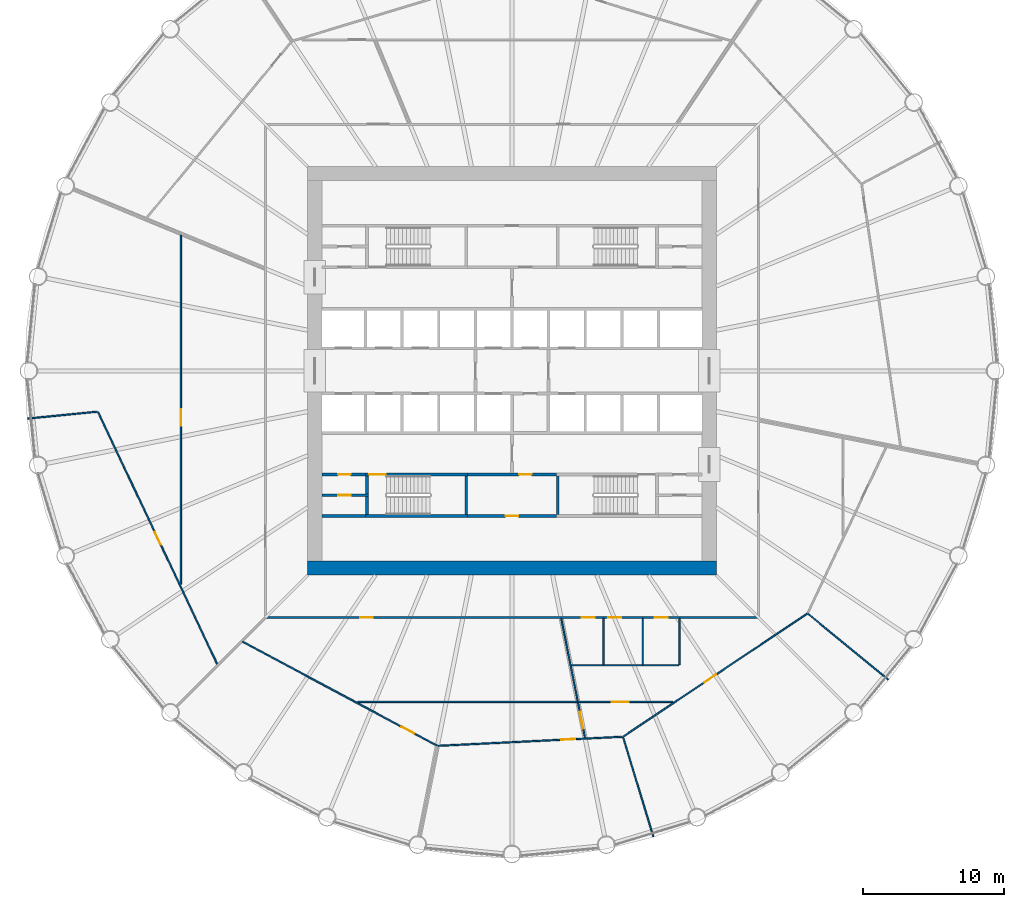
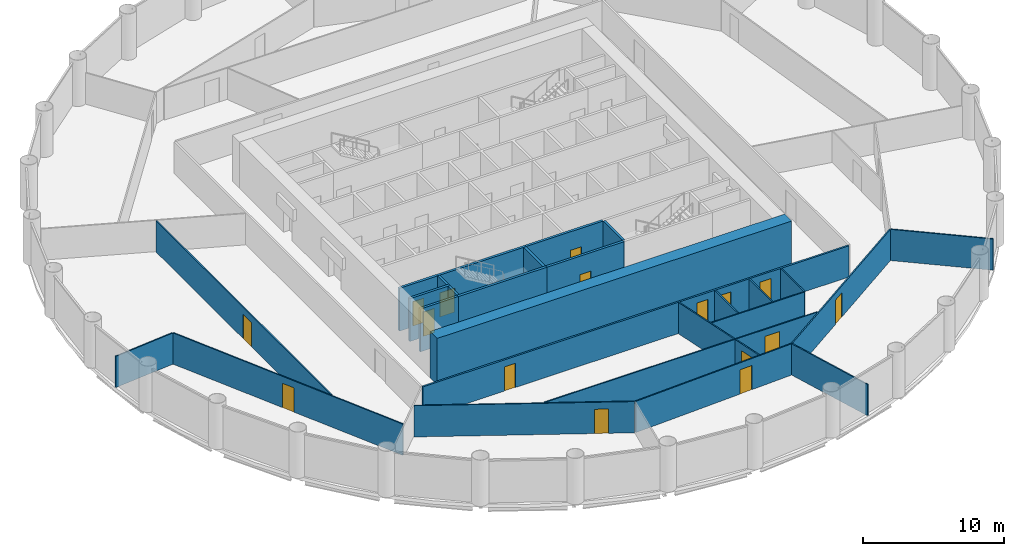
# One storey, part 4 of 8: 28 walls, 16 doors, 16 openings.
"""IFC4 building model written with IfcOpenShell, lengths in metres."""

from ifc_helpers import new_model, si_unit, direction, frame, frame_2d, origin, place, context, subcontext, project, spatial, polyline, rectangle, outline, extrude, material, layer, layer_set, type_object, element, fill, save


model = new_model("IFC4")

# Units and contexts
model_context = context("Model", 3, precision=1e-05, world=origin(), true_north=direction((0.0, 1.0)))
body_context = subcontext(model_context, "Body", "Model", "MODEL_VIEW")
ifc_project = project(units=[si_unit("LENGTHUNIT", "METRE"), si_unit("AREAUNIT", "SQUARE_METRE"), si_unit("VOLUMEUNIT", "CUBIC_METRE"), si_unit("PLANEANGLEUNIT", "RADIAN"), si_unit("MASSUNIT", "GRAM", prefix="KILO")], contexts=[model_context])

# Site, building, storey
site_placement = place(None, origin())
site = spatial("IfcSite", under=ifc_project, at=site_placement, CompositionType="ELEMENT")
building_placement = place(site_placement, origin())
building = spatial("IfcBuilding", under=site, at=building_placement, Name="Corvane Civic Tower", CompositionType="ELEMENT")
storey_placement = place(building_placement, frame((0.0, 0.0, 94.5)))
storey = spatial("IfcBuildingStorey", under=building, at=storey_placement, Name="L21", CompositionType="ELEMENT", Elevation=94.5)

# Wall
ifc_material_1 = material(Name="Concrete C70/85", Category="concrete")
ifc_layer_1 = layer(ifc_material_1, 1.0)
ifc_layer_set_1 = layer_set([ifc_layer_1], Name="Concrete C70/85")
wall_type_1 = type_object("IfcWallType", Name="CORE WALL 1000 C70/85", PredefinedType="SHEAR", material=ifc_layer_set_1)
wall_1_placement = place(storey_placement, frame((-14.5, -14.0, 0.0), z_axis=(0.0, 0.0, 1.0), x_axis=(1.0, 0.0, 0.0)))
element("IfcWall", 1, at=wall_1_placement, inside=storey, type_object=wall_type_1, Name="W-L21-core-S", PredefinedType="SHEAR", context=body_context, shape_type="SweptSolid", body=[
    extrude(rectangle(XDim=29.0, YDim=1.0, at=frame_2d((14.5, 0.0))), origin(), (0.0, 0.0, 1.0), 4.0),
])

# Wall, opening, door
ifc_material_2 = material(Name="Concrete C30/37", Category="concrete")
ifc_layer_2 = layer(ifc_material_2, 0.199951171875)
ifc_layer_set_2 = layer_set([ifc_layer_2], Name="Concrete C30/37")
wall_type_2 = type_object("IfcWallType", Name="CR-WALL-200", PredefinedType="PARTITIONING", material=ifc_layer_set_2)
wall_2_placement = place(storey_placement, frame((-3.14990234375, -10.300048828125, 0.0), z_axis=(0.0, 0.0, 1.0), x_axis=(1.0, 0.0, 0.0)))
wall_2 = element("IfcWall", 2, at=wall_2_placement, inside=storey, type_object=wall_type_2, Name="L21 partition wall", PredefinedType="PARTITIONING", context=body_context, shape_type="SweptSolid", body=[
    extrude(rectangle(XDim=6.2998046875, YDim=0.199951171875, at=frame_2d((3.14990234375, 0.0))), origin(), (0.0, 0.0, 1.0), 3.699951171875),
])
opening_1_placement = place(wall_2_placement, frame((2.699951171875, 0.0, 0.0)))
opening_1 = element("IfcOpeningElement", 3, at=opening_1_placement, cuts=wall_2, Name="Opening L21.C05", PredefinedType="OPENING", context=body_context, shape_type="SweptSolid", body=[
    extrude(rectangle(XDim=0.89990234375, YDim=2.10009765625, at=frame_2d((0.449951171875, 1.050048828125))), frame((0.0, 0.10986328125, 0.0), z_axis=(0.0, -1.0, 0.0), x_axis=(1.0, 0.0, 0.0)), (0.0, 0.0, 1.0), 0.219970703125),
])
ifc_material_3 = material(Name="Steel fire door leaf", Category="steel")
door_type_1 = type_object("IfcDoorType", Name="CR-DOOR-900", OperationType="SINGLE_SWING_LEFT", PredefinedType="DOOR", material=ifc_material_3)
door_1_placement = place(opening_1_placement, origin())
door_1 = element("IfcDoor", 4, at=door_1_placement, inside=storey, type_object=door_type_1, Name="L21 door", OperationType="SINGLE_SWING_LEFT", OverallHeight=2.10009765625, OverallWidth=0.89990234375, PredefinedType="DOOR", context=body_context, shape_type="SweptSolid", body=[
    extrude(rectangle(XDim=0.89990234375, YDim=2.10009765625, at=frame_2d((0.449951171875, 1.050048828125))), frame((0.0, 0.02490234375, 0.0), z_axis=(0.0, -1.0, 0.0), x_axis=(1.0, 0.0, 0.0)), (0.0, 0.0, 1.0), 0.050048828125),
])
fill(opening_1, door_1)

wall_3_placement = place(storey_placement, frame((-13.5, -8.824951171875, 0.0), z_axis=(0.0, 0.0, 1.0), x_axis=(1.0, 0.0, 0.0)))
wall_3 = element("IfcWall", 5, at=wall_3_placement, inside=storey, type_object=wall_type_2, Name="L21 partition wall", PredefinedType="PARTITIONING", context=body_context, shape_type="SweptSolid", body=[
    extrude(rectangle(XDim=3.300048828125, YDim=0.199951171875, at=frame_2d((1.64990234375, 0.0))), origin(), (0.0, 0.0, 1.0), 3.699951171875),
])
opening_2_placement = place(wall_3_placement, frame((1.14990234375, 0.0, 0.0)))
opening_2 = element("IfcOpeningElement", 6, at=opening_2_placement, cuts=wall_3, Name="Opening L21.C09", PredefinedType="OPENING", context=body_context, shape_type="SweptSolid", body=[
    extrude(rectangle(XDim=0.89990234375, YDim=2.10009765625, at=frame_2d((0.449951171875, 1.050048828125))), frame((0.0, 0.10986328125, 0.0), z_axis=(0.0, -1.0, 0.0), x_axis=(1.0, 0.0, 0.0)), (0.0, 0.0, 1.0), 0.219970703125),
])
door_2_placement = place(opening_2_placement, origin())
door_2 = element("IfcDoor", 7, at=door_2_placement, inside=storey, type_object=door_type_1, Name="L21 door", OperationType="SINGLE_SWING_LEFT", OverallHeight=2.10009765625, OverallWidth=0.89990234375, PredefinedType="DOOR", context=body_context, shape_type="SweptSolid", body=[
    extrude(rectangle(XDim=0.89990234375, YDim=2.10009765625, at=frame_2d((0.449951171875, 1.050048828125))), frame((0.0, 0.02490234375, 0.0), z_axis=(0.0, -1.0, 0.0), x_axis=(1.0, 0.0, 0.0)), (0.0, 0.0, 1.0), 0.050048828125),
])
fill(opening_2, door_2)

wall_4_placement = place(storey_placement, frame((-13.5, -7.35009765625, 0.0), z_axis=(0.0, 0.0, 1.0), x_axis=(1.0, 0.0, 0.0)))
wall_4 = element("IfcWall", 8, at=wall_4_placement, inside=storey, type_object=wall_type_2, Name="L21 core partition wall", PredefinedType="PARTITIONING", context=body_context, shape_type="SweptSolid", body=[
    extrude(rectangle(XDim=3.10009765625, YDim=0.199951171875, at=frame_2d((1.550048828125, 0.0))), origin(), (0.0, 0.0, 1.0), 3.699951171875),
])
opening_3_placement = place(wall_4_placement, frame((1.14990234375, 0.0, 0.0)))
opening_3 = element("IfcOpeningElement", 9, at=opening_3_placement, cuts=wall_4, Name="Opening L21.C08", PredefinedType="OPENING", context=body_context, shape_type="SweptSolid", body=[
    extrude(rectangle(XDim=0.89990234375, YDim=2.10009765625, at=frame_2d((0.449951171875, 1.050048828125))), frame((0.0, 0.10986328125, 0.0), z_axis=(0.0, -1.0, 0.0), x_axis=(1.0, 0.0, 0.0)), (0.0, 0.0, 1.0), 0.219970703125),
])
door_3_placement = place(opening_3_placement, origin())
door_3 = element("IfcDoor", 10, at=door_3_placement, inside=storey, type_object=door_type_1, Name="L21 door", OperationType="SINGLE_SWING_LEFT", OverallHeight=2.10009765625, OverallWidth=0.89990234375, PredefinedType="DOOR", context=body_context, shape_type="SweptSolid", body=[
    extrude(rectangle(XDim=0.89990234375, YDim=2.10009765625, at=frame_2d((0.449951171875, 1.050048828125))), frame((0.0, 0.02490234375, 0.0), z_axis=(0.0, -1.0, 0.0), x_axis=(1.0, 0.0, 0.0)), (0.0, 0.0, 1.0), 0.050048828125),
])
fill(opening_3, door_3)

wall_5_placement = place(storey_placement, frame((-3.14990234375, -7.35009765625, 0.0), z_axis=(0.0, 0.0, 1.0), x_axis=(1.0, 0.0, 0.0)))
wall_5 = element("IfcWall", 11, at=wall_5_placement, inside=storey, type_object=wall_type_2, Name="L21 partition wall", PredefinedType="PARTITIONING", context=body_context, shape_type="SweptSolid", body=[
    extrude(rectangle(XDim=6.2998046875, YDim=0.199951171875, at=frame_2d((3.14990234375, 0.0))), origin(), (0.0, 0.0, 1.0), 3.699951171875),
])
opening_4_placement = place(wall_5_placement, frame((3.64990234375, 0.0, 0.0)))
opening_4 = element("IfcOpeningElement", 12, at=opening_4_placement, cuts=wall_5, Name="Opening L21.C03", PredefinedType="OPENING", context=body_context, shape_type="SweptSolid", body=[
    extrude(rectangle(XDim=0.89990234375, YDim=2.10009765625, at=frame_2d((0.449951171875, 1.050048828125))), frame((0.0, 0.10986328125, 0.0), z_axis=(0.0, -1.0, 0.0), x_axis=(1.0, 0.0, 0.0)), (0.0, 0.0, 1.0), 0.219970703125),
])
door_4_placement = place(opening_4_placement, origin())
door_4 = element("IfcDoor", 13, at=door_4_placement, inside=storey, type_object=door_type_1, Name="L21 door", OperationType="SINGLE_SWING_LEFT", OverallHeight=2.10009765625, OverallWidth=0.89990234375, PredefinedType="DOOR", context=body_context, shape_type="SweptSolid", body=[
    extrude(rectangle(XDim=0.89990234375, YDim=2.10009765625, at=frame_2d((0.449951171875, 1.050048828125))), frame((0.0, 0.02490234375, 0.0), z_axis=(0.0, -1.0, 0.0), x_axis=(1.0, 0.0, 0.0)), (0.0, 0.0, 1.0), 0.050048828125),
])
fill(opening_4, door_4)

# Walls
wall_6_placement = place(storey_placement, origin())
element("IfcWall", 14, at=wall_6_placement, inside=storey, type_object=wall_type_2, Name="L21 core partition wall", PredefinedType="PARTITIONING", context=body_context, shape_type="SweptSolid", body=[
    extrude(outline(polyline([(-10.39990234375, -10.39990234375), (-13.5, -10.39990234375), (-13.5, -10.199951171875), (-10.39990234375, -10.199951171875), (-10.39990234375, -10.39990234375)])), origin(), (0.0, 0.0, 1.0), 3.699951171875),
])
ifc_material_4 = material(Name="Plasterboard")
ifc_layer_3 = layer(ifc_material_4, 0.10009765625)
ifc_layer_set_3 = layer_set([ifc_layer_3], Name="Plasterboard")
wall_type_3 = type_object("IfcWallType", Name="Partition 100 plasterboard on studs", PredefinedType="PARTITIONING", material=ifc_layer_set_3)
wall_7_placement = place(storey_placement, frame((7.889892578125, -26.010009765625, 0.0), z_axis=(0.0, 0.0, 1.0), x_axis=(0.290291483037, -0.956938271194, 0.0)))
element("IfcWall", 15, at=wall_7_placement, inside=storey, type_object=wall_type_3, Name="Partition L21.001", PredefinedType="PARTITIONING", context=body_context, shape_type="SweptSolid", body=[
    extrude(rectangle(XDim=7.369873046875, YDim=0.10009765625, at=frame_2d((3.68505859375, 0.0))), origin(), (0.0, 0.0, 1.0), 2.699951171875),
])

# Wall, opening, door
wall_8_placement = place(storey_placement, frame((-5.256103515625, -26.617919921875, 0.0), z_axis=(0.0, 0.0, 1.0), x_axis=(0.998795606062, 0.049064623825, 0.0)))
wall_8 = element("IfcWall", 16, at=wall_8_placement, inside=storey, type_object=wall_type_3, Name="Partition L21.003", PredefinedType="PARTITIONING", context=body_context, shape_type="SweptSolid", body=[
    extrude(rectangle(XDim=13.111572265625, YDim=0.10009765625, at=frame_2d((6.5556640625, 0.0))), origin(), (0.0, 0.0, 1.0), 2.699951171875),
])
opening_5_placement = place(wall_8_placement, frame((8.76953125, 0.0, 0.0)))
opening_5 = element("IfcOpeningElement", 17, at=opening_5_placement, cuts=wall_8, Name="Opening L21.015", PredefinedType="OPENING", context=body_context, shape_type="SweptSolid", body=[
    extrude(rectangle(XDim=1.0, YDim=2.10009765625, at=frame_2d((0.5, 1.050048828125))), frame((0.0, 0.06005859375, 0.0), z_axis=(0.0, -1.0, 0.0), x_axis=(1.0, 0.0, 0.0)), (0.0, 0.0, 1.0), 0.1201171875),
])
ifc_material_5 = material(Name="Timber", Category="wood")
door_type_2 = type_object("IfcDoorType", Name="Single door 1000", OperationType="NOTDEFINED", PredefinedType="DOOR", material=ifc_material_5)
door_5_placement = place(opening_5_placement, frame((1.0, 0.0, 0.0), z_axis=(0.0, 0.0, 1.0), x_axis=(-1.0, 0.0, 0.0)))
door_5 = element("IfcDoor", 18, at=door_5_placement, inside=storey, type_object=door_type_2, Name="Door L21.015", OperationType="SINGLE_SWING_RIGHT", OverallHeight=2.10009765625, OverallWidth=1.0, PredefinedType="DOOR", context=body_context, shape_type="SweptSolid", body=[
    extrude(rectangle(XDim=1.0, YDim=2.10009765625, at=frame_2d((0.5, 1.050048828125))), frame((0.0, 0.02490234375, 0.0), z_axis=(0.0, -1.0, 0.0), x_axis=(1.0, 0.0, 0.0)), (0.0, 0.0, 1.0), 0.050048828125),
])
fill(opening_5, door_5)

wall_9_placement = place(storey_placement, frame((-19.13232421875, -19.223388671875, 0.0), z_axis=(0.0, 0.0, 1.0), x_axis=(0.881917358686, -0.471404043734, 0.0)))
wall_9 = element("IfcWall", 19, at=wall_9_placement, inside=storey, type_object=wall_type_3, Name="Partition L21.004", PredefinedType="PARTITIONING", context=body_context, shape_type="SweptSolid", body=[
    extrude(rectangle(XDim=15.653076171875, YDim=0.10009765625, at=frame_2d((7.82666015625, 0.0))), origin(), (0.0, 0.0, 1.0), 2.699951171875),
])
opening_6_placement = place(wall_9_placement, frame((12.809326171875, 0.0, 0.0)))
opening_6 = element("IfcOpeningElement", 20, at=opening_6_placement, cuts=wall_9, Name="Opening L21.016", PredefinedType="OPENING", context=body_context, shape_type="SweptSolid", body=[
    extrude(rectangle(XDim=1.0, YDim=2.10009765625, at=frame_2d((0.5, 1.050048828125))), frame((0.0, 0.06005859375, 0.0), z_axis=(0.0, -1.0, 0.0), x_axis=(1.0, 0.0, 0.0)), (0.0, 0.0, 1.0), 0.1201171875),
])
door_6_placement = place(opening_6_placement, frame((1.0, 0.0, 0.0), z_axis=(0.0, 0.0, 1.0), x_axis=(-1.0, 0.0, 0.0)))
door_6 = element("IfcDoor", 21, at=door_6_placement, inside=storey, type_object=door_type_2, Name="Door L21.016", OperationType="SINGLE_SWING_LEFT", OverallHeight=2.10009765625, OverallWidth=1.0, PredefinedType="DOOR", context=body_context, shape_type="SweptSolid", body=[
    extrude(rectangle(XDim=1.0, YDim=2.10009765625, at=frame_2d((0.5, 1.050048828125))), frame((0.0, 0.02490234375, 0.0), z_axis=(0.0, -1.0, 0.0), x_axis=(1.0, 0.0, 0.0)), (0.0, 0.0, 1.0), 0.050048828125),
])
fill(opening_6, door_6)

wall_10_placement = place(storey_placement, frame((4.684326171875, -23.550048828125, 0.0), z_axis=(0.0, 0.0, 1.0), x_axis=(0.195101986683, -0.980782960085, 0.0)))
wall_10 = element("IfcWall", 22, at=wall_10_placement, inside=storey, type_object=wall_type_3, Name="Partition L21.005", PredefinedType="PARTITIONING", context=body_context, shape_type="SweptSolid", body=[
    extrude(rectangle(XDim=2.54638671875, YDim=0.10009765625, at=frame_2d((1.273193359375, 0.0))), origin(), (0.0, 0.0, 1.0), 2.699951171875),
])
opening_7_placement = place(wall_10_placement, frame((0.6767578125, 0.0, 0.0)))
opening_7 = element("IfcOpeningElement", 23, at=opening_7_placement, cuts=wall_10, Name="Opening L21.019", PredefinedType="OPENING", context=body_context, shape_type="SweptSolid", body=[
    extrude(rectangle(XDim=1.199951171875, YDim=2.10009765625, at=frame_2d((0.60009765625, 1.050048828125))), frame((0.0, 0.06005859375, 0.0), z_axis=(0.0, -1.0, 0.0), x_axis=(1.0, 0.0, 0.0)), (0.0, 0.0, 1.0), 0.1201171875),
])
ifc_material_6 = material(Name="Timber", Category="wood")
door_type_3 = type_object("IfcDoorType", Name="Double door 1200", OperationType="NOTDEFINED", PredefinedType="DOOR", material=ifc_material_6)
door_7_placement = place(opening_7_placement, frame((1.199951171875, 0.0, 0.0), z_axis=(0.0, 0.0, 1.0), x_axis=(-1.0, 0.0, 0.0)))
door_7 = element("IfcDoor", 24, at=door_7_placement, inside=storey, type_object=door_type_3, Name="Door L21.019", OperationType="DOUBLE_DOOR_SINGLE_SWING", OverallHeight=2.10009765625, OverallWidth=1.199951171875, PredefinedType="DOOR", context=body_context, shape_type="SweptSolid", body=[
    extrude(rectangle(XDim=1.199951171875, YDim=2.10009765625, at=frame_2d((0.60009765625, 1.050048828125))), frame((0.0, 0.02490234375, 0.0), z_axis=(0.0, -1.0, 0.0), x_axis=(1.0, 0.0, 0.0)), (0.0, 0.0, 1.0), 0.050048828125),
])
fill(opening_7, door_7)

wall_11_placement = place(storey_placement, frame((7.909423828125, -25.951904296875, 0.0), z_axis=(0.0, 0.0, 1.0), x_axis=(0.831479863578, 0.555554890595, 0.0)))
wall_11 = element("IfcWall", 25, at=wall_11_placement, inside=storey, type_object=wall_type_3, Name="Partition L21.006", PredefinedType="PARTITIONING", context=body_context, shape_type="SweptSolid", body=[
    extrude(rectangle(XDim=15.68310546875, YDim=0.10009765625, at=frame_2d((7.841552734375, 0.0))), origin(), (0.0, 0.0, 1.0), 2.699951171875),
])
opening_8_placement = place(wall_11_placement, frame((6.9169921875, 0.0, 0.0)))
opening_8 = element("IfcOpeningElement", 26, at=opening_8_placement, cuts=wall_11, Name="Opening L21.014", PredefinedType="OPENING", context=body_context, shape_type="SweptSolid", body=[
    extrude(rectangle(XDim=1.0, YDim=2.10009765625, at=frame_2d((0.5, 1.050048828125))), frame((0.0, 0.06005859375, 0.0), z_axis=(0.0, -1.0, 0.0), x_axis=(1.0, 0.0, 0.0)), (0.0, 0.0, 1.0), 0.1201171875),
])
door_8_placement = place(opening_8_placement, frame((1.0, 0.0, 0.0), z_axis=(0.0, 0.0, 1.0), x_axis=(-1.0, 0.0, 0.0)))
door_8 = element("IfcDoor", 27, at=door_8_placement, inside=storey, type_object=door_type_2, Name="Door L21.014", OperationType="SINGLE_SWING_LEFT", OverallHeight=2.10009765625, OverallWidth=1.0, PredefinedType="DOOR", context=body_context, shape_type="SweptSolid", body=[
    extrude(rectangle(XDim=1.0, YDim=2.10009765625, at=frame_2d((0.5, 1.050048828125))), frame((0.0, 0.02490234375, 0.0), z_axis=(0.0, -1.0, 0.0), x_axis=(1.0, 0.0, 0.0)), (0.0, 0.0, 1.0), 0.050048828125),
])
fill(opening_8, door_8)

wall_12_placement = place(storey_placement, frame((-10.93212890625, -23.5, 0.0), z_axis=(0.0, 0.0, 1.0), x_axis=(1.0, 0.0, 0.0)))
wall_12 = element("IfcWall", 28, at=wall_12_placement, inside=storey, type_object=wall_type_3, Name="Partition L21.008", PredefinedType="PARTITIONING", context=body_context, shape_type="SweptSolid", body=[
    extrude(rectangle(XDim=22.346435546875, YDim=0.10009765625, at=frame_2d((11.17333984375, 0.0))), origin(), (0.0, 0.0, 1.0), 2.699951171875),
])
opening_9_placement = place(wall_12_placement, frame((18.02001953125, 0.0, 0.0)))
opening_9 = element("IfcOpeningElement", 29, at=opening_9_placement, cuts=wall_12, Name="Opening L21.017", PredefinedType="OPENING", context=body_context, shape_type="SweptSolid", body=[
    extrude(rectangle(XDim=1.199951171875, YDim=2.10009765625, at=frame_2d((0.60009765625, 1.050048828125))), frame((0.0, 0.06005859375, 0.0), z_axis=(0.0, -1.0, 0.0), x_axis=(1.0, 0.0, 0.0)), (0.0, 0.0, 1.0), 0.1201171875),
])
door_9_placement = place(opening_9_placement, frame((1.199951171875, 0.0, 0.0), z_axis=(0.0, 0.0, 1.0), x_axis=(-1.0, 0.0, 0.0)))
door_9 = element("IfcDoor", 30, at=door_9_placement, inside=storey, type_object=door_type_3, Name="Door L21.017", OperationType="DOUBLE_DOOR_SINGLE_SWING", OverallHeight=2.10009765625, OverallWidth=1.199951171875, PredefinedType="DOOR", context=body_context, shape_type="SweptSolid", body=[
    extrude(rectangle(XDim=1.199951171875, YDim=2.10009765625, at=frame_2d((0.60009765625, 1.050048828125))), frame((0.0, 0.02490234375, 0.0), z_axis=(0.0, -1.0, 0.0), x_axis=(1.0, 0.0, 0.0)), (0.0, 0.0, 1.0), 0.050048828125),
])
fill(opening_9, door_9)

# Walls
wall_13_placement = place(storey_placement, frame((3.497802734375, -17.584716796875, 0.0), z_axis=(0.0, 0.0, 1.0), x_axis=(0.195101563709, -0.980783044225, 0.0)))
element("IfcWall", 31, at=wall_13_placement, inside=storey, type_object=wall_type_3, Name="Partition L21.009", PredefinedType="PARTITIONING", context=body_context, shape_type="SweptSolid", body=[
    extrude(rectangle(XDim=5.97021484375, YDim=0.10009765625, at=frame_2d((2.985107421875, 0.0))), origin(), (0.0, 0.0, 1.0), 2.699951171875),
])
wall_14_placement = place(storey_placement, frame((21.0107421875, -17.2431640625, 0.0), z_axis=(0.0, 0.0, 1.0), x_axis=(0.773019218966, -0.634382603094, 0.0)))
element("IfcWall", 32, at=wall_14_placement, inside=storey, type_object=wall_type_3, Name="Partition L21.010", PredefinedType="PARTITIONING", context=body_context, shape_type="SweptSolid", body=[
    extrude(rectangle(XDim=7.369873046875, YDim=0.10009765625, at=frame_2d((3.68505859375, 0.0))), origin(), (0.0, 0.0, 1.0), 2.699951171875),
])
wall_15_placement = place(storey_placement, frame((4.21826171875, -20.89990234375, 0.0), z_axis=(0.0, 0.0, 1.0), x_axis=(1.0, 0.0, 0.0)))
element("IfcWall", 33, at=wall_15_placement, inside=storey, type_object=wall_type_3, Name="Partition L21.011", PredefinedType="PARTITIONING", context=body_context, shape_type="SweptSolid", body=[
    extrude(rectangle(XDim=7.61279296875, YDim=0.10009765625, at=frame_2d((3.806396484375, 0.0))), origin(), (0.0, 0.0, 1.0), 2.699951171875),
])
for number, where, z_axis, x_axis, name in (
    (34, (6.48095703125, -20.85009765625, 0.0), (0.0, 0.0, 1.0), (0.0, 1.0, 0.0), "Partition L21.012"),
    (35, (9.281005859375, -20.85009765625, 0.0), (0.0, 0.0, 1.0), (0.0, 1.0, 0.0), "Partition L21.013"),
    (36, (11.881103515625, -20.85009765625, 0.0), (0.0, 0.0, 1.0), (0.0, 1.0, 0.0), "Partition L21.014"),
):
    element("IfcWall", number, at=place(storey_placement, frame(where, z_axis=z_axis, x_axis=x_axis)), inside=storey, type_object=wall_type_3, Name=name, PredefinedType="PARTITIONING", context=body_context, shape_type="SweptSolid", body=[
        extrude(rectangle(XDim=3.275146484375, YDim=0.10009765625, at=frame_2d((1.6376953125, 0.0))), origin(), (0.0, 0.0, 1.0), 2.699951171875),
    ])

# Wall, opening, door
wall_16_placement = place(storey_placement, frame((-29.386962890625, -2.927734375, 0.0), z_axis=(0.0, 0.0, 1.0), x_axis=(0.427565778499, -0.903984239385, 0.0)))
wall_16 = element("IfcWall", 37, at=wall_16_placement, inside=storey, type_object=wall_type_3, Name="Partition L21.015", PredefinedType="PARTITIONING", context=body_context, shape_type="SweptSolid", body=[
    extrude(rectangle(XDim=19.800048828125, YDim=0.10009765625, at=frame_2d((9.89990234375, 0.0))), origin(), (0.0, 0.0, 1.0), 2.699951171875),
])
opening_10_placement = place(wall_16_placement, frame((9.417724609375, 0.0, 0.0)))
opening_10 = element("IfcOpeningElement", 38, at=opening_10_placement, cuts=wall_16, Name="Opening L21.001", PredefinedType="OPENING", context=body_context, shape_type="SweptSolid", body=[
    extrude(rectangle(XDim=1.0, YDim=2.10009765625, at=frame_2d((0.5, 1.050048828125))), frame((0.0, 0.06005859375, 0.0), z_axis=(0.0, -1.0, 0.0), x_axis=(1.0, 0.0, 0.0)), (0.0, 0.0, 1.0), 0.1201171875),
])
door_10_placement = place(opening_10_placement, frame((1.0, 0.0, 0.0), z_axis=(0.0, 0.0, 1.0), x_axis=(-1.0, 0.0, 0.0)))
door_10 = element("IfcDoor", 39, at=door_10_placement, inside=storey, type_object=door_type_2, Name="Door L21.001", OperationType="SINGLE_SWING_LEFT", OverallHeight=2.10009765625, OverallWidth=1.0, PredefinedType="DOOR", context=body_context, shape_type="SweptSolid", body=[
    extrude(rectangle(XDim=1.0, YDim=2.10009765625, at=frame_2d((0.5, 1.050048828125))), frame((0.0, 0.02490234375, 0.0), z_axis=(0.0, -1.0, 0.0), x_axis=(1.0, 0.0, 0.0)), (0.0, 0.0, 1.0), 0.050048828125),
])
fill(opening_10, door_10)

wall_17_placement = place(storey_placement, frame((-23.5, -15.151611328125, 0.0), z_axis=(0.0, 0.0, 1.0), x_axis=(0.0, 1.0, 0.0)))
wall_17 = element("IfcWall", 40, at=wall_17_placement, inside=storey, type_object=wall_type_3, Name="Partition L21.020", PredefinedType="PARTITIONING", context=body_context, shape_type="SweptSolid", body=[
    extrude(rectangle(XDim=24.810791015625, YDim=0.10009765625, at=frame_2d((12.4052734375, 0.0))), origin(), (0.0, 0.0, 1.0), 2.699951171875),
])
opening_11_placement = place(wall_17_placement, frame((11.2421875, 0.0, 0.0)))
opening_11 = element("IfcOpeningElement", 41, at=opening_11_placement, cuts=wall_17, Name="Opening L21.002", PredefinedType="OPENING", context=body_context, shape_type="SweptSolid", body=[
    extrude(rectangle(XDim=1.199951171875, YDim=2.10009765625, at=frame_2d((0.60009765625, 1.050048828125))), frame((0.0, 0.06005859375, 0.0), z_axis=(0.0, -1.0, 0.0), x_axis=(1.0, 0.0, 0.0)), (0.0, 0.0, 1.0), 0.1201171875),
])
door_11_placement = place(opening_11_placement, origin())
door_11 = element("IfcDoor", 42, at=door_11_placement, inside=storey, type_object=door_type_3, Name="Door L21.002", OperationType="DOUBLE_DOOR_SINGLE_SWING", OverallHeight=2.10009765625, OverallWidth=1.199951171875, PredefinedType="DOOR", context=body_context, shape_type="SweptSolid", body=[
    extrude(rectangle(XDim=1.199951171875, YDim=2.10009765625, at=frame_2d((0.60009765625, 1.050048828125))), frame((0.0, 0.02490234375, 0.0), z_axis=(0.0, -1.0, 0.0), x_axis=(1.0, 0.0, 0.0)), (0.0, 0.0, 1.0), 0.050048828125),
])
fill(opening_11, door_11)

# Wall
wall_18_placement = place(storey_placement, frame((-34.3837890625, -3.386474609375, 0.0), z_axis=(0.0, 0.0, 1.0), x_axis=(0.995187758028, 0.097986357579, 0.0)))
element("IfcWall", 43, at=wall_18_placement, inside=storey, type_object=wall_type_3, Name="Partition L21.024", PredefinedType="PARTITIONING", context=body_context, shape_type="SweptSolid", body=[
    extrude(rectangle(XDim=4.970703125, YDim=0.10009765625, at=frame_2d((2.4853515625, 0.0))), origin(), (0.0, 0.0, 1.0), 2.699951171875),
])

# Wall, opening, door
ifc_material_7 = material(Name="Concrete C50/60", Category="concrete")
ifc_layer_4 = layer(ifc_material_7, 0.199951171875)
ifc_layer_set_4 = layer_set([ifc_layer_4], Name="Concrete C50/60")
wall_type_4 = type_object("IfcWallType", Name="ST-WALL-200", PredefinedType="SHEAR", material=ifc_layer_set_4)
wall_19_placement = place(storey_placement, frame((-10.39990234375, -7.35009765625, 0.0), z_axis=(0.0, 0.0, 1.0), x_axis=(1.0, 0.0, 0.0)))
wall_19 = element("IfcWall", 44, at=wall_19_placement, inside=storey, type_object=wall_type_4, Name="L21 stair enclosure wall", PredefinedType="SHEAR", context=body_context, shape_type="SweptSolid", body=[
    extrude(rectangle(XDim=7.25, YDim=0.199951171875, at=frame_2d((3.625, 0.0))), origin(), (0.0, 0.0, 1.0), 3.699951171875),
])
opening_12_placement = place(wall_19_placement, frame((0.25, 0.0, 0.0)))
opening_12 = element("IfcOpeningElement", 45, at=opening_12_placement, cuts=wall_19, Name="Opening L21.C17", PredefinedType="OPENING", context=body_context, shape_type="SweptSolid", body=[
    extrude(rectangle(XDim=1.199951171875, YDim=2.10009765625, at=frame_2d((0.60009765625, 1.050048828125))), frame((0.0, 0.10986328125, 0.0), z_axis=(0.0, -1.0, 0.0), x_axis=(1.0, 0.0, 0.0)), (0.0, 0.0, 1.0), 0.219970703125),
])
ifc_material_8 = material(Name="Steel fire door leaf", Category="steel")
door_type_4 = type_object("IfcDoorType", Name="ST-DOOR-1200", OperationType="SINGLE_SWING_RIGHT", PredefinedType="DOOR", material=ifc_material_8)
door_12_placement = place(opening_12_placement, origin())
door_12 = element("IfcDoor", 46, at=door_12_placement, inside=storey, type_object=door_type_4, Name="L21 stair door", OperationType="SINGLE_SWING_RIGHT", OverallHeight=2.10009765625, OverallWidth=1.199951171875, PredefinedType="DOOR", context=body_context, shape_type="SweptSolid", body=[
    extrude(rectangle(XDim=1.199951171875, YDim=2.10009765625, at=frame_2d((0.60009765625, 1.050048828125))), frame((0.0, 0.02490234375, 0.0), z_axis=(0.0, -1.0, 0.0), x_axis=(1.0, 0.0, 0.0)), (0.0, 0.0, 1.0), 0.050048828125),
])
fill(opening_12, door_12)

# Walls
wall_20_placement = place(storey_placement, origin())
element("IfcWall", 47, at=wall_20_placement, inside=storey, type_object=wall_type_4, Name="L21 stair enclosure wall", PredefinedType="SHEAR", context=body_context, shape_type="SweptSolid", body=[
    extrude(outline(polyline([(-3.14990234375, -10.199951171875), (-3.14990234375, -10.39990234375), (-10.39990234375, -10.39990234375), (-10.39990234375, -10.199951171875), (-3.14990234375, -10.199951171875)])), origin(), (0.0, 0.0, 1.0), 3.699951171875),
])
wall_21_placement = place(storey_placement, origin())
element("IfcWall", 48, at=wall_21_placement, inside=storey, type_object=wall_type_4, Name="L21 stair enclosure wall", PredefinedType="SHEAR", context=body_context, shape_type="SweptSolid", body=[
    extrude(outline(polyline([(-3.14990234375, -7.449951171875), (-3.14990234375, -10.199951171875), (-3.35009765625, -10.199951171875), (-3.35009765625, -7.449951171875), (-3.14990234375, -7.449951171875)])), origin(), (0.0, 0.0, 1.0), 3.699951171875),
])
wall_22_placement = place(storey_placement, origin())
element("IfcWall", 49, at=wall_22_placement, inside=storey, type_object=wall_type_4, Name="L21 stair enclosure wall", PredefinedType="SHEAR", context=body_context, shape_type="SweptSolid", body=[
    extrude(outline(polyline([(3.35009765625, -7.449951171875), (3.35009765625, -10.199951171875), (3.14990234375, -10.199951171875), (3.14990234375, -7.449951171875), (3.35009765625, -7.449951171875)])), origin(), (0.0, 0.0, 1.0), 3.699951171875),
])
wall_23_placement = place(storey_placement, origin())
element("IfcWall", 50, at=wall_23_placement, inside=storey, type_object=wall_type_4, Name="L21 stair enclosure wall", PredefinedType="SHEAR", context=body_context, shape_type="SweptSolid", body=[
    extrude(outline(polyline([(-10.199951171875, -7.449951171875), (-10.199951171875, -8.72509765625), (-10.39990234375, -8.72509765625), (-10.39990234375, -7.449951171875), (-10.199951171875, -7.449951171875)])), origin(), (0.0, 0.0, 1.0), 3.699951171875),
])
wall_24_placement = place(storey_placement, origin())
element("IfcWall", 51, at=wall_24_placement, inside=storey, type_object=wall_type_4, Name="L21 stair enclosure wall", PredefinedType="SHEAR", context=body_context, shape_type="SweptSolid", body=[
    extrude(outline(polyline([(-10.199951171875, -8.925048828125), (-10.199951171875, -10.199951171875), (-10.39990234375, -10.199951171875), (-10.39990234375, -8.925048828125), (-10.199951171875, -8.925048828125)])), origin(), (0.0, 0.0, 1.0), 3.699951171875),
])

# Wall, openings, doors
ifc_material_9 = material(Name="Plasterboard")
ifc_layer_5 = layer(ifc_material_9, 0.14990234375)
ifc_layer_set_5 = layer_set([ifc_layer_5], Name="Plasterboard")
wall_type_5 = type_object("IfcWallType", Name="Tenancy wall 150 EI 60", PredefinedType="PARTITIONING", material=ifc_layer_set_5)
wall_25_placement = place(storey_placement, frame((-17.425048828125, -17.5, 0.0), z_axis=(0.0, 0.0, 1.0), x_axis=(1.0, 0.0, 0.0)))
wall_25 = element("IfcWall", 52, at=wall_25_placement, inside=storey, type_object=wall_type_5, Name="Partition L21.016", PredefinedType="PARTITIONING", context=body_context, shape_type="SweptSolid", body=[
    extrude(rectangle(XDim=34.85009765625, YDim=0.14990234375, at=frame_2d((17.425048828125, 0.0))), origin(), (0.0, 0.0, 1.0), 2.699951171875),
])
opening_13_placement = place(wall_25_placement, frame((6.656982421875, 0.0, 0.0)))
opening_13 = element("IfcOpeningElement", 53, at=opening_13_placement, cuts=wall_25, Name="Opening L21.021", PredefinedType="OPENING", context=body_context, shape_type="SweptSolid", body=[
    extrude(rectangle(XDim=0.89990234375, YDim=2.10009765625, at=frame_2d((0.449951171875, 1.050048828125))), frame((0.0, 0.0849609375, 0.0), z_axis=(0.0, -1.0, 0.0), x_axis=(1.0, 0.0, 0.0)), (0.0, 0.0, 1.0), 0.169921875),
])
opening_14_placement = place(wall_25_placement, frame((24.273681640625, 0.0, 0.0)))
opening_14 = element("IfcOpeningElement", 54, at=opening_14_placement, cuts=wall_25, Name="Opening L21.022", PredefinedType="OPENING", context=body_context, shape_type="SweptSolid", body=[
    extrude(rectangle(XDim=0.89990234375, YDim=2.10009765625, at=frame_2d((0.449951171875, 1.050048828125))), frame((0.0, 0.0849609375, 0.0), z_axis=(0.0, -1.0, 0.0), x_axis=(1.0, 0.0, 0.0)), (0.0, 0.0, 1.0), 0.169921875),
])
opening_15_placement = place(wall_25_placement, frame((22.393798828125, 0.0, 0.0)))
opening_15 = element("IfcOpeningElement", 55, at=opening_15_placement, cuts=wall_25, Name="Opening L21.023", PredefinedType="OPENING", context=body_context, shape_type="SweptSolid", body=[
    extrude(rectangle(XDim=0.89990234375, YDim=2.10009765625, at=frame_2d((0.449951171875, 1.050048828125))), frame((0.0, 0.0849609375, 0.0), z_axis=(0.0, -1.0, 0.0), x_axis=(1.0, 0.0, 0.0)), (0.0, 0.0, 1.0), 0.169921875),
])
opening_16_placement = place(wall_25_placement, frame((27.574951171875, 0.0, 0.0)))
opening_16 = element("IfcOpeningElement", 56, at=opening_16_placement, cuts=wall_25, Name="Opening L21.024", PredefinedType="OPENING", context=body_context, shape_type="SweptSolid", body=[
    extrude(rectangle(XDim=0.89990234375, YDim=2.10009765625, at=frame_2d((0.449951171875, 1.050048828125))), frame((0.0, 0.0849609375, 0.0), z_axis=(0.0, -1.0, 0.0), x_axis=(1.0, 0.0, 0.0)), (0.0, 0.0, 1.0), 0.169921875),
])
ifc_material_10 = material(Name="Steel and timber", Category="steel")
door_type_5 = type_object("IfcDoorType", Name="Fire door FD30S 900", OperationType="NOTDEFINED", PredefinedType="DOOR", material=ifc_material_10)
door_13_placement = place(opening_13_placement, frame((0.89990234375, 0.0, 0.0), z_axis=(0.0, 0.0, 1.0), x_axis=(-1.0, 0.0, 0.0)))
door_13 = element("IfcDoor", 57, at=door_13_placement, inside=storey, type_object=door_type_5, Name="Door L21.021", OperationType="SINGLE_SWING_RIGHT", OverallHeight=2.10009765625, OverallWidth=0.89990234375, PredefinedType="DOOR", context=body_context, shape_type="SweptSolid", body=[
    extrude(rectangle(XDim=0.89990234375, YDim=2.10009765625, at=frame_2d((0.449951171875, 1.050048828125))), frame((0.0, 0.02490234375, 0.0), z_axis=(0.0, -1.0, 0.0), x_axis=(1.0, 0.0, 0.0)), (0.0, 0.0, 1.0), 0.050048828125),
])
fill(opening_13, door_13)
door_14_placement = place(opening_14_placement, frame((0.89990234375, 0.0, 0.0), z_axis=(0.0, 0.0, 1.0), x_axis=(-1.0, 0.0, 0.0)))
door_14 = element("IfcDoor", 58, at=door_14_placement, inside=storey, type_object=door_type_5, Name="Door L21.022", OperationType="SINGLE_SWING_LEFT", OverallHeight=2.10009765625, OverallWidth=0.89990234375, PredefinedType="DOOR", context=body_context, shape_type="SweptSolid", body=[
    extrude(rectangle(XDim=0.89990234375, YDim=2.10009765625, at=frame_2d((0.449951171875, 1.050048828125))), frame((0.0, 0.02490234375, 0.0), z_axis=(0.0, -1.0, 0.0), x_axis=(1.0, 0.0, 0.0)), (0.0, 0.0, 1.0), 0.050048828125),
])
fill(opening_14, door_14)
door_15_placement = place(opening_15_placement, frame((0.89990234375, 0.0, 0.0), z_axis=(0.0, 0.0, 1.0), x_axis=(-1.0, 0.0, 0.0)))
door_15 = element("IfcDoor", 59, at=door_15_placement, inside=storey, type_object=door_type_5, Name="Door L21.023", OperationType="SINGLE_SWING_LEFT", OverallHeight=2.10009765625, OverallWidth=0.89990234375, PredefinedType="DOOR", context=body_context, shape_type="SweptSolid", body=[
    extrude(rectangle(XDim=0.89990234375, YDim=2.10009765625, at=frame_2d((0.449951171875, 1.050048828125))), frame((0.0, 0.02490234375, 0.0), z_axis=(0.0, -1.0, 0.0), x_axis=(1.0, 0.0, 0.0)), (0.0, 0.0, 1.0), 0.050048828125),
])
fill(opening_15, door_15)
door_16_placement = place(opening_16_placement, frame((0.89990234375, 0.0, 0.0), z_axis=(0.0, 0.0, 1.0), x_axis=(-1.0, 0.0, 0.0)))
door_16 = element("IfcDoor", 60, at=door_16_placement, inside=storey, type_object=door_type_5, Name="Door L21.024", OperationType="SINGLE_SWING_RIGHT", OverallHeight=2.10009765625, OverallWidth=0.89990234375, PredefinedType="DOOR", context=body_context, shape_type="SweptSolid", body=[
    extrude(rectangle(XDim=0.89990234375, YDim=2.10009765625, at=frame_2d((0.449951171875, 1.050048828125))), frame((0.0, 0.02490234375, 0.0), z_axis=(0.0, -1.0, 0.0), x_axis=(1.0, 0.0, 0.0)), (0.0, 0.0, 1.0), 0.050048828125),
])
fill(opening_16, door_16)

save(model, "model.ifc")
